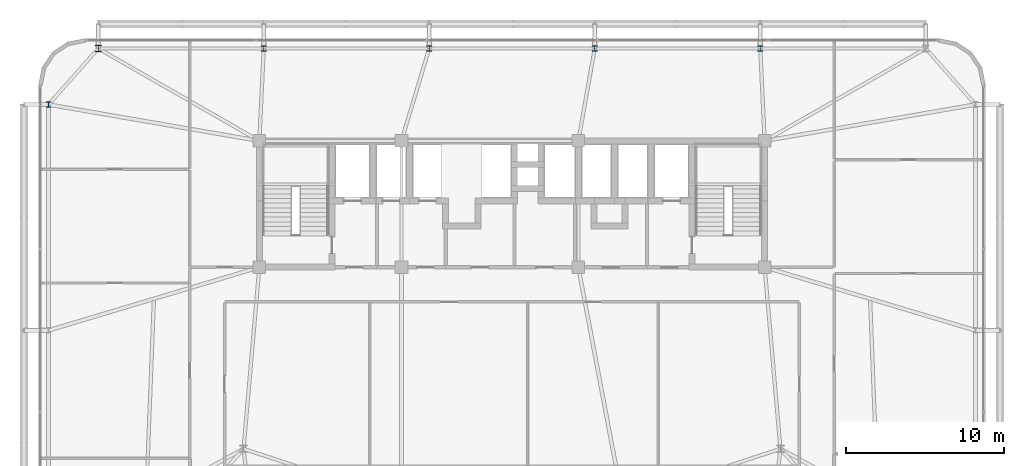
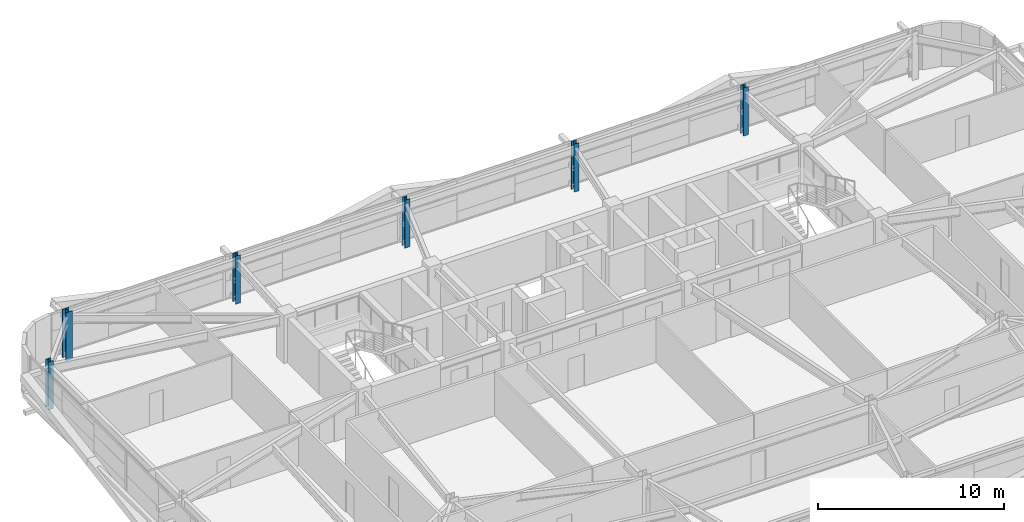
# One storey, part 3 of 45: 6 columns.
"""IFC4 building model written with IfcOpenShell, lengths in metres."""

from ifc_helpers import new_model, si_unit, direction, frame, origin, origin_2d, place, context, subcontext, project, spatial, i_section, extrude, source, transform, mapped, material, material_profile, profile_set, type_object, element, save


model = new_model("IFC4")

# Units and contexts
model_context = context("Model", 3, precision=1e-05, world=origin(), true_north=direction((0.0, 1.0)))
body_context = subcontext(model_context, "Body", "Model", "MODEL_VIEW")
ifc_project = project(units=[si_unit("LENGTHUNIT", "METRE"), si_unit("AREAUNIT", "SQUARE_METRE"), si_unit("VOLUMEUNIT", "CUBIC_METRE"), si_unit("PLANEANGLEUNIT", "RADIAN"), si_unit("MASSUNIT", "GRAM", prefix="KILO")], contexts=[model_context])

# Site, building, storey
site_placement = place(None, origin())
site = spatial("IfcSite", under=ifc_project, at=site_placement, CompositionType="ELEMENT")
building_placement = place(site_placement, origin())
building = spatial("IfcBuilding", under=site, at=building_placement, Name="Taldren Reach Tower", CompositionType="ELEMENT")
storey_placement = place(building_placement, frame((0.0, 0.0, 57.75)))
storey = spatial("IfcBuildingStorey", under=building, at=storey_placement, Name="L17", CompositionType="ELEMENT", Elevation=57.75)

# Columns
ifc_material = material(Name="Steel Gr 350 (350PLUS)", Category="steel")
ifc_material_profile_1 = material_profile(ifc_material, i_section(OverallWidth=0.39990234375, OverallDepth=0.39599609375, WebThickness=0.02197265625, FlangeThickness=0.033935546875, at=origin_2d()), Name="400WC270")
ifc_profile_set_1 = profile_set([ifc_material_profile_1], Name="Steel Gr 350 (350PLUS)")
column_type_1 = type_object("IfcColumnType", Name="COL-WC400", PredefinedType="COLUMN", material=ifc_profile_set_1)
shared_shape_1 = source(origin(), body_context, "Body", "SweptSolid", [
    extrude(i_section(OverallWidth=0.39990234375, OverallDepth=0.39599609375, WebThickness=0.02197265625, FlangeThickness=0.033935546875, at=origin_2d()), origin(), (0.0, 0.0, 1.0), 3.14990234375),
])
column_placement = place(storey_placement, frame((8.800048828125, 37.85009765625, 0.0), z_axis=(0.0, 0.0, 1.0), x_axis=(1.0, 0.0, 0.0)))
element("IfcColumn", 1, at=column_placement, inside=storey, type_object=column_type_1, Name="Block B1 perimeter column N1 L17", PredefinedType="COLUMN", context=body_context, shape_type="MappedRepresentation", body=[
    mapped(shared_shape_1, transform((0.0, 0.0, 0.0), scale=1.0)),
])
ifc_material_profile_2 = material_profile(ifc_material, i_section(OverallWidth=0.31103515625, OverallDepth=0.326904296875, WebThickness=0.015625, FlangeThickness=0.02490234375, at=origin_2d()), Name="310UC158")
ifc_profile_set_2 = profile_set([ifc_material_profile_2], Name="Steel Gr 350 (350PLUS)")
column_type_2 = type_object("IfcColumnType", Name="COL-UC310A", PredefinedType="COLUMN", material=ifc_profile_set_2)
shared_shape_2 = source(origin(), body_context, "Body", "SweptSolid", [
    extrude(i_section(OverallWidth=0.31103515625, OverallDepth=0.326904296875, WebThickness=0.015625, FlangeThickness=0.02490234375, at=origin_2d()), origin(), (0.0, 0.0, 1.0), 3.14990234375),
])
for number, where, z_axis, x_axis, name in (
    (2, (19.280029296875, 37.85009765625, 0.0), (0.0, 0.0, 1.0), (1.0, 0.0, 0.0), "Block B1 perimeter column N2 L17"),
    (3, (29.760009765625, 37.85009765625, 0.0), (0.0, 0.0, 1.0), (1.0, 0.0, 0.0), "Block B1 perimeter column N3 L17"),
    (4, (40.239990234375, 37.85009765625, 0.0), (0.0, 0.0, 1.0), (1.0, 0.0, 0.0), "Block B1 perimeter column N4 L17"),
    (5, (50.719970703125, 37.85009765625, 0.0), (0.0, 0.0, 1.0), (1.0, 0.0, 0.0), "Block B1 perimeter column N5 L17"),
    (6, (5.64990234375, 34.300048828125, 0.0), (0.0, 0.0, 1.0), (1.0, 0.0, 0.0), "Block B1 perimeter column W3 L17"),
):
    element("IfcColumn", number, at=place(storey_placement, frame(where, z_axis=z_axis, x_axis=x_axis)), inside=storey, type_object=column_type_2, Name=name, PredefinedType="COLUMN", context=body_context, shape_type="MappedRepresentation", body=[
        mapped(shared_shape_2, transform((0.0, 0.0, 0.0), scale=1.0)),
    ])

save(model, "model.ifc")
